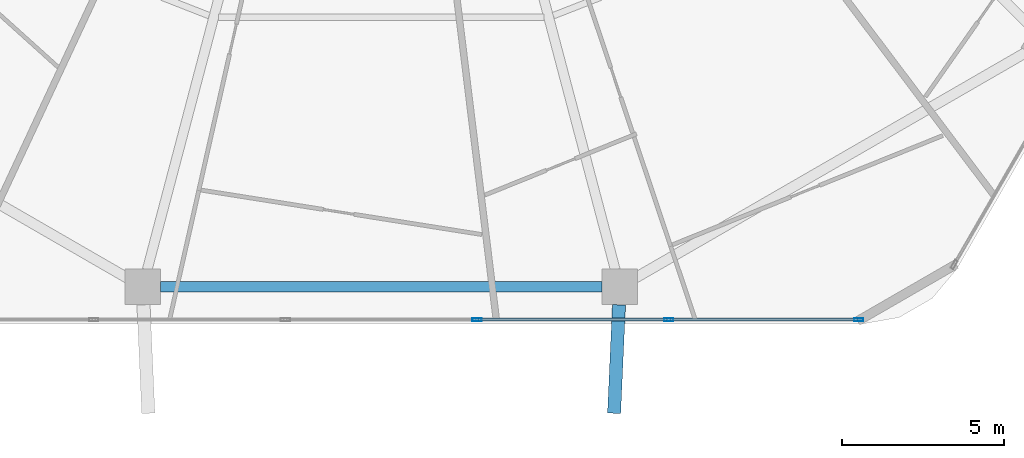
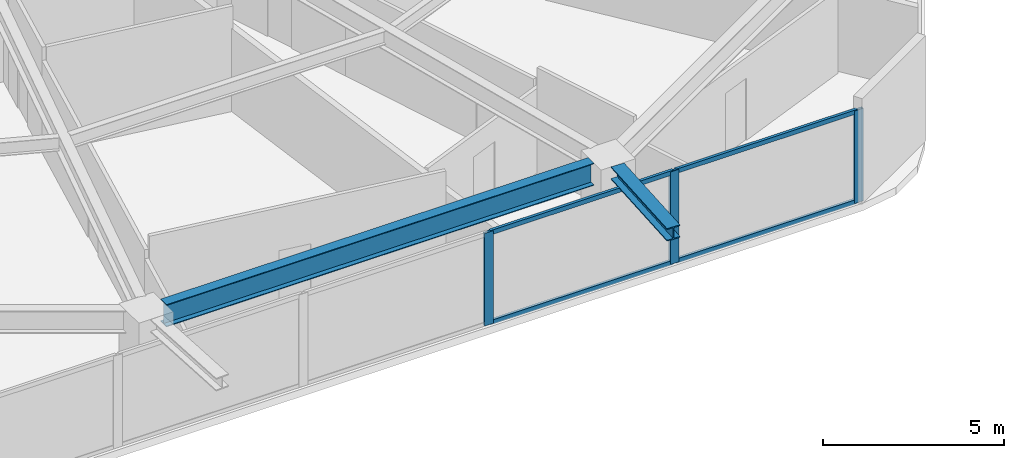
# One storey, part 7 of 32: 7 members, 2 beams, 1 element without a shape of its own.
"""IFC4 building model written with IfcOpenShell, lengths in metres."""

from ifc_helpers import new_model, si_unit, direction, frame, origin, origin_2d, place, context, subcontext, project, spatial, hollow_rectangle, i_section, extrude, material, material_profile, profile_set, type_object, element, aggregate, save


model = new_model("IFC4")

# Units and contexts
model_context = context("Model", 3, precision=1e-05, world=origin(), true_north=direction((0.0, 1.0)))
body_context = subcontext(model_context, "Body", "Model", "MODEL_VIEW")
ifc_project = project(units=[si_unit("LENGTHUNIT", "METRE"), si_unit("AREAUNIT", "SQUARE_METRE"), si_unit("VOLUMEUNIT", "CUBIC_METRE"), si_unit("PLANEANGLEUNIT", "RADIAN"), si_unit("MASSUNIT", "GRAM", prefix="KILO")], contexts=[model_context])

# Site, building, storey
site_placement = place(None, origin())
site = spatial("IfcSite", under=ifc_project, at=site_placement, CompositionType="ELEMENT")
building_placement = place(site_placement, origin())
building = spatial("IfcBuilding", under=site, at=building_placement, Name="Zuhravey Tower", CompositionType="ELEMENT")
storey_placement = place(building_placement, frame((0.0, 0.0, 111.39990234375)))
storey = spatial("IfcBuildingStorey", under=building, at=storey_placement, Name="L27", CompositionType="ELEMENT", Elevation=111.39990234375)

# Curtain wall, members
ifc_material_1 = material(Name="Thermally broken anodised aluminium", Category="aluminium")
curtain_wall_type = type_object("IfcCurtainWallType", Name="Zone 1-2 Residential Curtain Wall CW3", PredefinedType="NOTDEFINED", material=ifc_material_1)
curtain_wall_placement = place(storey_placement, origin())
curtain_wall = element("IfcCurtainWall", 1, at=curtain_wall_placement, inside=storey, type_object=curtain_wall_type, Name="L27 CW3 CW-L27-F5-1", PredefinedType="NOTDEFINED")
ifc_material_2 = material(Name="Anodised aluminium", Category="aluminium")
ifc_material_profile_1 = material_profile(ifc_material_2, hollow_rectangle(XDim=0.090087890625, YDim=0.284912109375, WallThickness=0.0048828125, at=origin_2d()), Name="ALU-RHS-90x285x5")
ifc_profile_set_1 = profile_set([ifc_material_profile_1], Name="Anodised aluminium")
member_type_1 = type_object("IfcMemberType", Name="Curtain-Wall Mullion 90x180", PredefinedType="MULLION", material=ifc_profile_set_1)
member_1_placement = place(storey_placement, frame((50.75439453125, 3.04150390625, 0.0), z_axis=(0.0, 0.0, 1.0), x_axis=(0.0, -1.0, 0.0)))
member_1 = element("IfcMember", 2, at=member_1_placement, type_object=member_type_1, Name="CW3 mullion 1", PredefinedType="MULLION", context=body_context, shape_type="SweptSolid", body=[
    extrude(hollow_rectangle(XDim=0.090087890625, YDim=0.284912109375, WallThickness=0.0048828125, at=origin_2d()), origin(), (0.0, 0.0, 1.0), 3.1220703125),
])
member_2_placement = place(storey_placement, frame((44.879638671875, 3.04150390625, 0.0), z_axis=(0.0, 0.0, 1.0), x_axis=(0.0, -1.0, 0.0)))
member_2 = element("IfcMember", 3, at=member_2_placement, type_object=member_type_1, Name="CW3 mullion 2", PredefinedType="MULLION", context=body_context, shape_type="SweptSolid", body=[
    extrude(hollow_rectangle(XDim=0.090087890625, YDim=0.284912109375, WallThickness=0.0048828125, at=origin_2d()), origin(), (0.0, 0.0, 1.0), 3.1220703125),
])
member_3_placement = place(storey_placement, frame((38.9599609375, 3.04150390625, 0.0), z_axis=(0.0, 0.0, 1.0), x_axis=(0.0, -1.0, 0.0)))
member_3 = element("IfcMember", 4, at=member_3_placement, type_object=member_type_1, Name="CW3 mullion 3", PredefinedType="MULLION", context=body_context, shape_type="SweptSolid", body=[
    extrude(hollow_rectangle(XDim=0.090087890625, YDim=0.284912109375, WallThickness=0.0048828125, at=origin_2d()), origin(), (0.0, 0.0, 1.0), 3.1220703125),
])
ifc_material_profile_2 = material_profile(ifc_material_2, hollow_rectangle(XDim=0.090087890625, YDim=0.14990234375, WallThickness=0.0048828125, at=origin_2d()), Name="ALU-RHS-90x150x5")
ifc_profile_set_2 = profile_set([ifc_material_profile_2], Name="Anodised aluminium")
member_type_2 = type_object("IfcMemberType", Name="Curtain-Wall Transom 90x150", PredefinedType="USERDEFINED", material=ifc_profile_set_2)
member_4_placement = place(storey_placement, frame((50.70947265625, 3.04150390625, 0.045166015625), z_axis=(-1.0, 0.0, 0.0), x_axis=(0.0, -1.0, 0.0)))
member_4 = element("IfcMember", 5, at=member_4_placement, type_object=member_type_2, Name="CW3 transom 1.1", ObjectType="TRANSOM", PredefinedType="USERDEFINED", context=body_context, shape_type="SweptSolid", body=[
    extrude(hollow_rectangle(XDim=0.090087890625, YDim=0.14990234375, WallThickness=0.0048828125, at=origin_2d()), origin(), (0.0, 0.0, 1.0), 5.78466796875),
])
member_5_placement = place(storey_placement, frame((50.70947265625, 3.04150390625, 3.0771484375), z_axis=(-1.0, 0.0, 0.0), x_axis=(0.0, -1.0, 0.0)))
member_5 = element("IfcMember", 6, at=member_5_placement, type_object=member_type_2, Name="CW3 transom 1.2", ObjectType="TRANSOM", PredefinedType="USERDEFINED", context=body_context, shape_type="SweptSolid", body=[
    extrude(hollow_rectangle(XDim=0.090087890625, YDim=0.14990234375, WallThickness=0.0048828125, at=origin_2d()), origin(), (0.0, 0.0, 1.0), 5.78466796875),
])
member_6_placement = place(storey_placement, frame((44.834716796875, 3.04150390625, 0.045166015625), z_axis=(-1.0, 0.0, 0.0), x_axis=(0.0, -1.0, 0.0)))
member_6 = element("IfcMember", 7, at=member_6_placement, type_object=member_type_2, Name="CW3 transom 2.1", ObjectType="TRANSOM", PredefinedType="USERDEFINED", context=body_context, shape_type="SweptSolid", body=[
    extrude(hollow_rectangle(XDim=0.090087890625, YDim=0.14990234375, WallThickness=0.0048828125, at=origin_2d()), origin(), (0.0, 0.0, 1.0), 5.829833984375),
])
member_7_placement = place(storey_placement, frame((44.834716796875, 3.04150390625, 3.0771484375), z_axis=(-1.0, 0.0, 0.0), x_axis=(0.0, -1.0, 0.0)))
member_7 = element("IfcMember", 8, at=member_7_placement, type_object=member_type_2, Name="CW3 transom 2.2", ObjectType="TRANSOM", PredefinedType="USERDEFINED", context=body_context, shape_type="SweptSolid", body=[
    extrude(hollow_rectangle(XDim=0.090087890625, YDim=0.14990234375, WallThickness=0.0048828125, at=origin_2d()), origin(), (0.0, 0.0, 1.0), 5.829833984375),
])
aggregate(curtain_wall, [member_1, member_2, member_3, member_4, member_5, member_6, member_7])

# Beams
ifc_material_3 = material(Name="Steel SM460", Category="steel")
ifc_material_profile_3 = material_profile(ifc_material_3, i_section(OverallWidth=0.406982421875, OverallDepth=0.427978515625, WebThickness=0.02001953125, FlangeThickness=0.034912109375, at=origin_2d()), Name="H-428x407x20x35")
ifc_profile_set_3 = profile_set([ifc_material_profile_3], Name="Steel SM460")
beam_type_1 = type_object("IfcBeamType", Name="Exoskeleton Node Tie Beam H428x407", PredefinedType="BEAM", material=ifc_profile_set_3)
beam_1_placement = place(storey_placement, frame((43.34521484375, 3.49755859375, 3.336181640625), z_axis=(-0.044905841842, -0.99899122387, 0.0), x_axis=(0.99899122387, -0.044905841842, 0.0)))
element("IfcBeam", 9, at=beam_1_placement, inside=storey, type_object=beam_type_1, Name="L27 Exoskeleton Node Tie NT1-10", PredefinedType="BEAM", context=body_context, shape_type="SweptSolid", body=[
    extrude(i_section(OverallWidth=0.406982421875, OverallDepth=0.427978515625, WebThickness=0.02001953125, FlangeThickness=0.034912109375, at=origin_2d()), origin(), (0.0, 0.0, 1.0), 3.3544921875),
])
ifc_material_4 = material(Name="Steel SM355", Category="steel")
ifc_material_profile_4 = material_profile(ifc_material_4, i_section(OverallWidth=0.320068359375, OverallDepth=0.75, WebThickness=0.013916015625, FlangeThickness=0.02490234375, at=origin_2d()), Name="H-750x320x14x25")
ifc_profile_set_4 = profile_set([ifc_material_profile_4], Name="Steel SM355")
beam_type_2 = type_object("IfcBeamType", Name="Perimeter Ring Beam H750x320", PredefinedType="BEAM", material=ifc_profile_set_4)
beam_2_placement = place(storey_placement, frame((29.18310546875, 4.051513671875, 3.175048828125), z_axis=(1.0, 0.0, 0.0), x_axis=(0.0, 1.0, 0.0)))
element("IfcBeam", 10, at=beam_2_placement, inside=storey, type_object=beam_type_2, Name="L27 PB1 BM-L27-PB-09", PredefinedType="BEAM", context=body_context, shape_type="SweptSolid", body=[
    extrude(i_section(OverallWidth=0.320068359375, OverallDepth=0.75, WebThickness=0.013916015625, FlangeThickness=0.02490234375, at=origin_2d()), origin(), (0.0, 0.0, 1.0), 13.6337890625),
])

save(model, "model.ifc")
